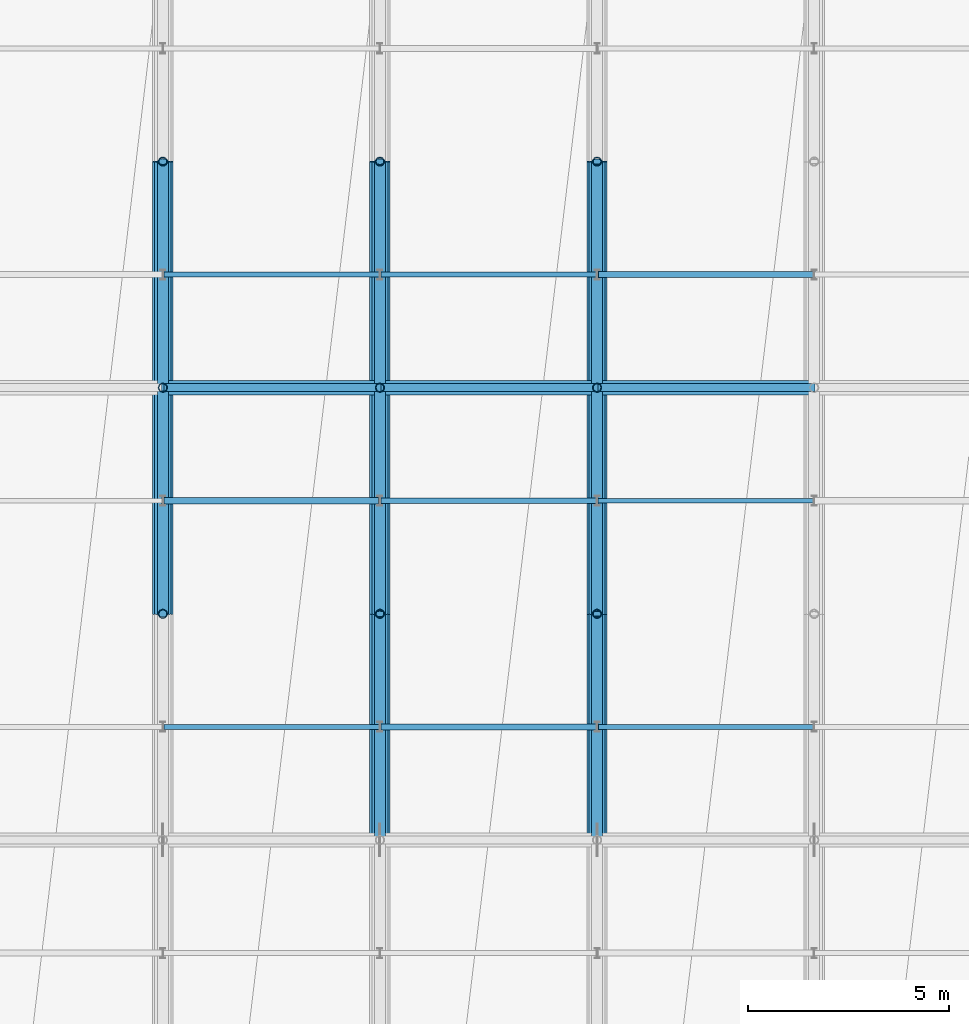
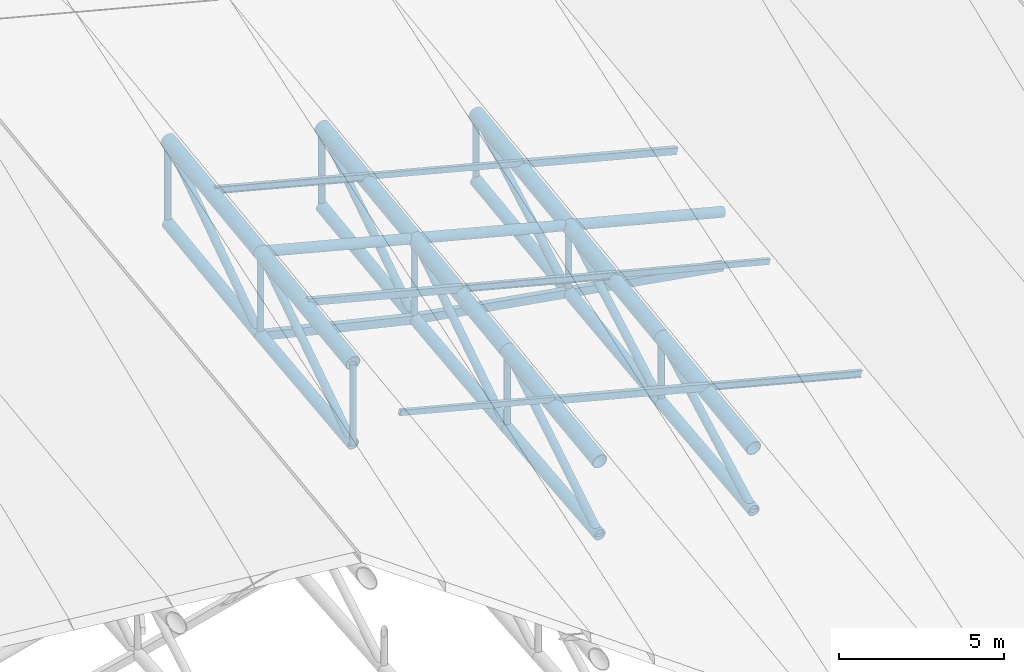
# One storey, part 22 of 109: 32 members, 16 beams.
"""IFC4 building model written with IfcOpenShell, lengths in metres."""

import ifcopenshell
import ifcopenshell.guid

model = None  # the IFC model being written
_history = None  # IfcOwnerHistory: only IFC2X3 demands one
_inside = {}  # id of a spatial element -> (the spatial element, [elements in it])
_under = {}  # id of a project, library or spatial element -> (it, [spatial elements below it])
_declared = {}  # id of a project -> (the project, [libraries it declares])
_typed = {}  # id of a type object -> (the type object, [elements of that type])
_made_of = {}  # id of a material, layer set ... -> (it, [elements and type objects made of it])


def new_model(schema):
    """Start an empty IFC model of exactly this schema.

    Asked for "IFC4X3", IfcOpenShell would pick the latest addendum, in which some entities
    have other attributes; the version numbers below select the first issue.
    IFC2X3 requires an IfcOwnerHistory on every rooted entity: one is made here for all.
    """
    global model, _history
    if schema == "IFC4X3":
        model = ifcopenshell.file(schema_version=(4, 3, 0, 0))
    else:
        model = ifcopenshell.file(schema=schema)
    _inside.clear()
    _under.clear()
    _declared.clear()
    _typed.clear()
    _made_of.clear()
    _history = None
    if model.schema == "IFC2X3":
        org = make("IfcOrganization", Name="unknown")
        user = make(
            "IfcPersonAndOrganization",
            ThePerson=make("IfcPerson", FamilyName="unknown"),
            TheOrganization=org,
        )
        app = make(
            "IfcApplication",
            ApplicationDeveloper=org,
            Version="unknown",
            ApplicationFullName="unknown",
            ApplicationIdentifier="unknown",
        )
        _history = make(
            "IfcOwnerHistory",
            OwningUser=user,
            OwningApplication=app,
            ChangeAction="ADDED",
            CreationDate=0,
        )
    return model


def make(cls, **values):
    """One entity of the class cls with the attributes given. An attribute that is None is left unset."""
    return model.create_entity(
        cls, **{name: value for name, value in values.items() if value is not None}
    )


def rooted(cls, **values):
    """An entity with a GlobalId (a new one), such as an element, a storey or a relation."""
    return make(cls, GlobalId=ifcopenshell.guid.new(), OwnerHistory=_history, **values)


def si_unit(unit_type, name, prefix=None):
    """IfcSIUnit, for example si_unit("LENGTHUNIT", "METRE", prefix="MILLI")."""
    return make("IfcSIUnit", UnitType=unit_type, Prefix=prefix, Name=name)


def assignment(units):
    """IfcUnitAssignment: the units of a project."""
    return None if units is None else make("IfcUnitAssignment", Units=units)


def point(xyz):
    """IfcCartesianPoint."""
    return None if xyz is None else make("IfcCartesianPoint", Coordinates=xyz)


def direction(xyz):
    """IfcDirection."""
    return None if xyz is None else make("IfcDirection", DirectionRatios=xyz)


def frame(location, z_axis=None, x_axis=None):
    """IfcAxis2Placement3D, a coordinate frame: its origin and axes. An axis left out is left unset."""
    return make(
        "IfcAxis2Placement3D",
        Location=point(location),
        Axis=direction(z_axis),
        RefDirection=direction(x_axis),
    )


def frame_2d(location, x_axis=None):
    """IfcAxis2Placement2D, a coordinate frame in the plane: its origin and x axis."""
    return make(
        "IfcAxis2Placement2D", Location=point(location), RefDirection=direction(x_axis)
    )


def origin():
    """The frame at (0, 0, 0) with its axes left unset."""
    return frame((0.0, 0.0, 0.0))


def origin_2d():
    """The frame at (0, 0) in the plane with its x axis left unset."""
    return frame_2d((0.0, 0.0))


def place(relative_to, where):
    """IfcLocalPlacement: puts the frame where relative to a parent placement (None: the world)."""
    return make(
        "IfcLocalPlacement", PlacementRelTo=relative_to, RelativePlacement=where
    )


def context(
    kind, dimensions, precision=None, world=None, true_north=None, identifier=None
):
    """IfcGeometricRepresentationContext, for example the 3D "Model" context."""
    return make(
        "IfcGeometricRepresentationContext",
        ContextIdentifier=identifier,
        ContextType=kind,
        CoordinateSpaceDimension=dimensions,
        Precision=precision,
        WorldCoordinateSystem=world,
        TrueNorth=true_north,
    )


def subcontext(parent, identifier, kind, view, scale=None):
    """IfcGeometricRepresentationSubContext, for example "Body" below "Model"."""
    return make(
        "IfcGeometricRepresentationSubContext",
        ContextIdentifier=identifier,
        ContextType=kind,
        ParentContext=parent,
        TargetScale=scale,
        TargetView=view,
    )


def project(units=None, contexts=None):
    """IfcProject with its units and contexts."""
    return rooted(
        "IfcProject",
        Name="project",
        RepresentationContexts=contexts,
        UnitsInContext=assignment(units),
    )


def spatial(cls, under=None, at=None, **own):
    """A site, building, storey or space (cls), placed at a placement, below another one or the project."""
    s = rooted(cls, ObjectPlacement=at, **own)
    if under is not None:
        _under.setdefault(under.id(), (under, []))[1].append(s)
    return s


def profile(cls, at=None, kind="AREA", **sizes):
    """A parametric profile (cls). Its sizes go by their IFC names, for example OverallWidth=200.0."""
    return make(cls, ProfileType=kind, Position=at, **sizes)


def hollow_rectangle(**sizes):
    """IfcRectangleHollowProfileDef."""
    return profile("IfcRectangleHollowProfileDef", **sizes)


def hollow_circle(**sizes):
    """IfcCircleHollowProfileDef."""
    return profile("IfcCircleHollowProfileDef", **sizes)


def i_section(**sizes):
    """IfcIShapeProfileDef."""
    return profile("IfcIShapeProfileDef", **sizes)


def extrude(swept, where, along, depth):
    """IfcExtrudedAreaSolid: the profile swept, set in the frame where, extruded along a direction by depth."""
    return make(
        "IfcExtrudedAreaSolid",
        SweptArea=swept,
        Position=where,
        ExtrudedDirection=direction(along),
        Depth=depth,
    )


def shape(context_of_items, identifier, shape_type, items):
    """IfcShapeRepresentation: the items that make up one representation, for example the "Body"."""
    return make(
        "IfcShapeRepresentation",
        ContextOfItems=context_of_items,
        RepresentationIdentifier=identifier,
        RepresentationType=shape_type,
        Items=items,
    )


def material(Name=None, Category=None):
    """IfcMaterial."""
    return make("IfcMaterial", Name=Name, Category=Category)


def material_profile(
    of_material, cross_section, Name=None, Category=None, Priority=None
):
    """IfcMaterialProfile: a cross section and its material."""
    return make(
        "IfcMaterialProfile",
        Name=Name,
        Material=of_material,
        Profile=cross_section,
        Priority=Priority,
        Category=Category,
    )


def profile_set(profiles, Name=None, composite=None):
    """IfcMaterialProfileSet."""
    return make(
        "IfcMaterialProfileSet",
        Name=Name,
        MaterialProfiles=profiles,
        CompositeProfile=composite,
    )


def made_of(thing, what):
    """Note that an element or type object is made of a material, layer set ...; save() writes the relation."""
    if what is not None:
        _made_of.setdefault(what.id(), (what, []))[1].append(thing)
    return thing


def type_object(cls, material=None, **own):
    """A type object (cls), such as IfcWallType, which elements share."""
    return made_of(rooted(cls, **own), material)


def element(
    cls,
    number,
    at=None,
    inside=None,
    cuts=None,
    type_object=None,
    material=None,
    context=None,
    identifier="Body",
    shape_type=None,
    held_by="IfcProductDefinitionShape",
    body=None,
    shapes=None,
    **own,
):
    """One element of the class cls, such as IfcWall. Its Tag is "e" and its number.

    at: its placement. inside: the storey or other place that contains it. cuts: it is an
    opening in that element (IfcRelVoidsElement). A single representation is given by context,
    identifier, shape_type and body (its items); several are given by shapes. held_by: the class
    of the entity that holds the representations. save() writes the other relations.
    """
    e = rooted(cls, Tag="e%d" % number, ObjectPlacement=at, **own)
    if body is not None:
        shapes = [shape(context, identifier, shape_type, body)]
    if shapes is not None:
        e.Representation = make(held_by, Representations=shapes)
    if inside is not None:
        _inside.setdefault(inside.id(), (inside, []))[1].append(e)
    if cuts is not None:
        rooted(
            "IfcRelVoidsElement", RelatingBuildingElement=cuts, RelatedOpeningElement=e
        )
    if type_object is not None:
        _typed.setdefault(type_object.id(), (type_object, []))[1].append(e)
    return made_of(e, material)


def aggregate(whole, parts):
    """IfcRelAggregates: a whole, such as a stair, and the parts it consists of."""
    return rooted("IfcRelAggregates", RelatingObject=whole, RelatedObjects=parts)


def save(model, path):
    """Write the relations noted so far, then the file.

    IfcRelAggregates (storeys below a building ...), IfcRelContainedInSpatialStructure (elements
    in a storey), IfcRelDefinesByType, IfcRelAssociatesMaterial and IfcRelDeclares: one each for
    every whole, place, type object, material and project.
    """
    for whole, parts in _under.values():
        aggregate(whole, parts)
    for where, things in _inside.values():
        rooted(
            "IfcRelContainedInSpatialStructure",
            RelatedElements=things,
            RelatingStructure=where,
        )
    for kind, things in _typed.values():
        rooted("IfcRelDefinesByType", RelatedObjects=things, RelatingType=kind)
    for what, things in _made_of.values():
        rooted("IfcRelAssociatesMaterial", RelatedObjects=things, RelatingMaterial=what)
    for by, libraries in _declared.values():
        rooted("IfcRelDeclares", RelatingContext=by, RelatedDefinitions=libraries)
    model.write(path)


model = new_model("IFC4")

# Units and contexts
model_context = context("Model", 3, precision=1e-05, world=origin(), true_north=direction((0.0, 1.0)))
body_context = subcontext(model_context, "Body", "Model", "MODEL_VIEW")
ifc_project = project(units=[si_unit("LENGTHUNIT", "METRE"), si_unit("AREAUNIT", "SQUARE_METRE"), si_unit("VOLUMEUNIT", "CUBIC_METRE"), si_unit("PLANEANGLEUNIT", "RADIAN"), si_unit("MASSUNIT", "GRAM", prefix="KILO")], contexts=[model_context])

# Site, building, storey
site_placement = place(None, origin())
site = spatial("IfcSite", under=ifc_project, at=site_placement, CompositionType="ELEMENT")
building_placement = place(site_placement, origin())
building = spatial("IfcBuilding", under=site, at=building_placement, Name="Suirenkawa Promenade Aquatics Centre", CompositionType="ELEMENT")
storey_placement = place(building_placement, frame((0.0, 0.0, 22.800048828125)))
storey = spatial("IfcBuildingStorey", under=building, at=storey_placement, Name="ROOF", CompositionType="ELEMENT", Elevation=22.800048828125)

# Beams
ifc_material = material(Name="Steel IS 2062 E350 (Grade 350)", Category="steel")
ifc_material_profile_1 = material_profile(ifc_material, hollow_circle(Radius=0.202880859375, WallThickness=0.01806640625, at=origin_2d()), Name="CHS 406x18", Category="steel")
ifc_profile_set_1 = profile_set([ifc_material_profile_1], Name="Steel IS 2062 E350 (Grade 350)")
beam_type_1 = type_object("IfcBeamType", Name="BT-BC-CHS406", PredefinedType="BEAM", material=ifc_profile_set_1)
beam_1_placement = place(storey_placement, frame((117.0, 78.52490234375, -10.179931640625), z_axis=(0.0, 0.993630301177, 0.112689061501), x_axis=(-1.0, 0.0, 0.0)))
element("IfcBeam", 1, at=beam_1_placement, inside=storey, type_object=beam_type_1, Name="ROOF TRUSS V1 bottom chord BC-01 BM-2182", PredefinedType="BEAM", context=body_context, shape_type="SweptSolid", body=[
    extrude(hollow_circle(Radius=0.202880859375, WallThickness=0.01806640625, at=origin_2d()), origin(), (0.0, 0.0, 1.0), 5.6611328125),
])
beam_2_placement = place(storey_placement, frame((117.0, 84.14990234375, -9.5419921875), z_axis=(0.0, 0.991573992333, 0.129541567575), x_axis=(-1.0, 0.0, 0.0)))
element("IfcBeam", 2, at=beam_2_placement, inside=storey, type_object=beam_type_1, Name="ROOF TRUSS V1 bottom chord BC-01 BM-2184", PredefinedType="BEAM", context=body_context, shape_type="SweptSolid", body=[
    extrude(hollow_circle(Radius=0.202880859375, WallThickness=0.01806640625, at=origin_2d()), origin(), (0.0, 0.0, 1.0), 5.6728515625),
])
beam_3_placement = place(storey_placement, frame((122.39990234375, 72.89990234375, -12.02294921875), z_axis=(0.0, 0.995084117006, 0.099033328138), x_axis=(-1.0, 0.0, 0.0)))
element("IfcBeam", 3, at=beam_3_placement, inside=storey, type_object=beam_type_1, Name="ROOF TRUSS V1 bottom chord BC-01 BM-2208", PredefinedType="BEAM", context=body_context, shape_type="SweptSolid", body=[
    extrude(hollow_circle(Radius=0.202880859375, WallThickness=0.01806640625, at=origin_2d()), origin(), (0.0, 0.0, 1.0), 5.65283203125),
])
beam_4_placement = place(storey_placement, frame((122.39990234375, 78.52490234375, -11.463134765625), z_axis=(0.0, 0.993489515672, 0.113923580747), x_axis=(-1.0, 0.0, 0.0)))
element("IfcBeam", 4, at=beam_4_placement, inside=storey, type_object=beam_type_1, Name="ROOF TRUSS V1 bottom chord BC-01 BM-2210", PredefinedType="BEAM", context=body_context, shape_type="SweptSolid", body=[
    extrude(hollow_circle(Radius=0.202880859375, WallThickness=0.01806640625, at=origin_2d()), origin(), (0.0, 0.0, 1.0), 5.661865234375),
])
beam_5_placement = place(storey_placement, frame((122.39990234375, 84.14990234375, -10.818115234375), z_axis=(0.0, 0.991590568823, 0.129414619811), x_axis=(-1.0, 0.0, 0.0)))
element("IfcBeam", 5, at=beam_5_placement, inside=storey, type_object=beam_type_1, Name="ROOF TRUSS V1 bottom chord BC-01 BM-2212", PredefinedType="BEAM", context=body_context, shape_type="SweptSolid", body=[
    extrude(hollow_circle(Radius=0.202880859375, WallThickness=0.01806640625, at=origin_2d()), origin(), (0.0, 0.0, 1.0), 5.672607421875),
])
beam_6_placement = place(storey_placement, frame((127.800048828125, 72.89990234375, -13.01611328125), z_axis=(0.0, 0.994076354112, 0.108683955556), x_axis=(-1.0, 0.0, 0.0)))
element("IfcBeam", 6, at=beam_6_placement, inside=storey, type_object=beam_type_1, Name="ROOF TRUSS V1 bottom chord BC-01 BM-2236", PredefinedType="BEAM", context=body_context, shape_type="SweptSolid", body=[
    extrude(hollow_circle(Radius=0.202880859375, WallThickness=0.01806640625, at=origin_2d()), origin(), (0.0, 0.0, 1.0), 5.658447265625),
])
beam_7_placement = place(storey_placement, frame((127.800048828125, 78.52490234375, -12.401123046875), z_axis=(0.0, 0.992957163719, 0.11847392548), x_axis=(-1.0, 0.0, 0.0)))
element("IfcBeam", 7, at=beam_7_placement, inside=storey, type_object=beam_type_1, Name="ROOF TRUSS V1 bottom chord BC-01 BM-2238", PredefinedType="BEAM", context=body_context, shape_type="SweptSolid", body=[
    extrude(hollow_circle(Radius=0.202880859375, WallThickness=0.01806640625, at=origin_2d()), origin(), (0.0, 0.0, 1.0), 5.664794921875),
])
beam_8_placement = place(storey_placement, frame((127.800048828125, 84.14990234375, -11.72998046875), z_axis=(0.0, 0.991662218835, 0.128864439375), x_axis=(-1.0, 0.0, 0.0)))
element("IfcBeam", 8, at=beam_8_placement, inside=storey, type_object=beam_type_1, Name="ROOF TRUSS V1 bottom chord BC-01 BM-2240", PredefinedType="BEAM", context=body_context, shape_type="SweptSolid", body=[
    extrude(hollow_circle(Radius=0.202880859375, WallThickness=0.01806640625, at=origin_2d()), origin(), (0.0, 0.0, 1.0), 5.67236328125),
])
ifc_material_profile_2 = material_profile(ifc_material, hollow_circle(Radius=0.25390625, WallThickness=0.02392578125, at=origin_2d()), Name="CHS 508x24", Category="steel")
ifc_profile_set_2 = profile_set([ifc_material_profile_2], Name="Steel IS 2062 E350 (Grade 350)")
beam_type_2 = type_object("IfcBeamType", Name="BT-TC-CHS508", PredefinedType="BEAM", material=ifc_profile_set_2)
for number, where, z_axis, x_axis, name in (
    (9, (117.0, 78.52490234375, -7.175048828125), (0.0, 0.991793720609, 0.127848409297), (-1.0, 0.0, 0.0), "ROOF TRUSS V1 top chord TC-02 BM-2181"),
    (10, (117.0, 84.14990234375, -6.449951171875), (0.0, 0.991799178012, 0.127806065951), (-1.0, 0.0, 0.0), "ROOF TRUSS V1 top chord TC-02 BM-2183"),
    (11, (122.39990234375, 72.89990234375, -9.300048828125), (0.0, 0.991793720609, 0.127848409297), (-1.0, 0.0, 0.0), "ROOF TRUSS V1 top chord TC-02 BM-2207"),
    (12, (122.39990234375, 78.52490234375, -8.574951171875), (0.0, 0.991799178012, 0.127806065951), (-1.0, 0.0, 0.0), "ROOF TRUSS V1 top chord TC-02 BM-2209"),
    (13, (122.39990234375, 84.14990234375, -7.85009765625), (0.0, 0.991793720609, 0.127848409297), (-1.0, 0.0, 0.0), "ROOF TRUSS V1 top chord TC-02 BM-2211"),
    (14, (127.800048828125, 72.89990234375, -10.699951171875), (0.0, 0.991799178012, 0.127806065951), (-1.0, 0.0, 0.0), "ROOF TRUSS V1 top chord TC-02 BM-2235"),
    (15, (127.800048828125, 78.52490234375, -9.97509765625), (0.0, 0.991793720609, 0.127848409297), (-1.0, 0.0, 0.0), "ROOF TRUSS V1 top chord TC-02 BM-2237"),
    (16, (127.800048828125, 84.14990234375, -9.25), (0.0, 0.991799178012, 0.127806065951), (-1.0, 0.0, 0.0), "ROOF TRUSS V1 top chord TC-02 BM-2239"),
):
    element("IfcBeam", number, at=place(storey_placement, frame(where, z_axis=z_axis, x_axis=x_axis)), inside=storey, type_object=beam_type_2, Name=name, PredefinedType="BEAM", context=body_context, shape_type="SweptSolid", body=[
        extrude(hollow_circle(Radius=0.25390625, WallThickness=0.02392578125, at=origin_2d()), origin(), (0.0, 0.0, 1.0), 5.671630859375),
    ])

# Members
ifc_material_profile_3 = material_profile(ifc_material, hollow_circle(Radius=0.177978515625, WallThickness=0.01611328125, at=origin_2d()), Name="CHS 356x16", Category="steel")
ifc_profile_set_3 = profile_set([ifc_material_profile_3], Name="Steel IS 2062 E350 (Grade 350)")
member_type_1 = type_object("IfcMemberType", Name="MT-CHORD-CHS356", PredefinedType="CHORD", material=ifc_profile_set_3)
member_1_placement = place(storey_placement, frame((117.0, 84.14990234375, -6.449951171875), z_axis=(0.967989416096, 0.0, -0.250991016426), x_axis=(0.0, 1.0, 0.0)))
element("IfcMember", 17, at=member_1_placement, inside=storey, type_object=member_type_1, Name="ROOF TRUSS V1 tie chord CH-02 MB-0794", PredefinedType="CHORD", context=body_context, shape_type="SweptSolid", body=[
    extrude(hollow_circle(Radius=0.177978515625, WallThickness=0.01611328125, at=origin_2d()), origin(), (0.0, 0.0, 1.0), 5.578369140625),
])
member_2_placement = place(storey_placement, frame((122.39990234375, 84.14990234375, -7.85009765625), z_axis=(0.96800280427, 0.0, -0.250939376992), x_axis=(0.0, 1.0, 0.0)))
element("IfcMember", 18, at=member_2_placement, inside=storey, type_object=member_type_1, Name="ROOF TRUSS V1 tie chord CH-02 MB-0796", PredefinedType="CHORD", context=body_context, shape_type="SweptSolid", body=[
    extrude(hollow_circle(Radius=0.177978515625, WallThickness=0.01611328125, at=origin_2d()), origin(), (0.0, 0.0, 1.0), 5.57861328125),
])
member_3_placement = place(storey_placement, frame((127.800048828125, 84.14990234375, -9.25), z_axis=(0.967989416096, 0.0, -0.250991016426), x_axis=(0.0, 1.0, 0.0)))
element("IfcMember", 19, at=member_3_placement, inside=storey, type_object=member_type_1, Name="ROOF TRUSS V1 tie chord CH-02 MB-0798", PredefinedType="CHORD", context=body_context, shape_type="SweptSolid", body=[
    extrude(hollow_circle(Radius=0.177978515625, WallThickness=0.01611328125, at=origin_2d()), origin(), (0.0, 0.0, 1.0), 5.578369140625),
])
ifc_material_profile_4 = material_profile(ifc_material, hollow_rectangle(XDim=0.199951171875, YDim=0.300048828125, WallThickness=0.011962890625, at=origin_2d()), Name="RHS 300x200x12", Category="steel")
ifc_profile_set_4 = profile_set([ifc_material_profile_4], Name="Steel IS 2062 E350 (Grade 350)")
member_type_2 = type_object("IfcMemberType", Name="MT-CHORD-RHS300", PredefinedType="CHORD", material=ifc_profile_set_4)
member_4_placement = place(storey_placement, frame((117.0, 84.14990234375, -9.5419921875), z_axis=(0.973193387284, 0.0, -0.229988327848), x_axis=(0.0, 1.0, 0.0)))
element("IfcMember", 20, at=member_4_placement, inside=storey, type_object=member_type_2, Name="ROOF TRUSS V1 bottom tie CH-03 MB-0795", PredefinedType="CHORD", context=body_context, shape_type="SweptSolid", body=[
    extrude(hollow_rectangle(XDim=0.199951171875, YDim=0.300048828125, WallThickness=0.011962890625, at=origin_2d()), origin(), (0.0, 0.0, 1.0), 5.548583984375),
])
for number, where, z_axis, x_axis, name in (
    (21, (122.39990234375, 84.14990234375, -10.818115234375), (0.986041073491, 0.0, -0.166502256408), (0.0, 1.0, 0.0), "ROOF TRUSS V1 bottom tie CH-03 MB-0797"),
    (22, (127.800048828125, 84.14990234375, -11.72998046875), (0.986003217519, 0.0, -0.166726287798), (0.0, 1.0, 0.0), "ROOF TRUSS V1 bottom tie CH-03 MB-0799"),
):
    element("IfcMember", number, at=place(storey_placement, frame(where, z_axis=z_axis, x_axis=x_axis)), inside=storey, type_object=member_type_2, Name=name, PredefinedType="CHORD", context=body_context, shape_type="SweptSolid", body=[
        extrude(hollow_rectangle(XDim=0.199951171875, YDim=0.300048828125, WallThickness=0.011962890625, at=origin_2d()), origin(), (0.0, 0.0, 1.0), 5.4765625),
    ])
ifc_material_profile_5 = material_profile(ifc_material, i_section(OverallWidth=0.125, OverallDepth=0.25, WebThickness=0.007080078125, FlangeThickness=0.012939453125, at=origin_2d()), Name="ISMB 250", Category="steel")
ifc_profile_set_5 = profile_set([ifc_material_profile_5], Name="Steel IS 2062 E350 (Grade 350)")
member_type_3 = type_object("IfcMemberType", Name="MT-PURLIN-ISMB250", PredefinedType="PURLIN", material=ifc_profile_set_5)
member_5_placement = place(storey_placement, frame((117.0, 86.962890625, -5.866943359375), z_axis=(0.968031935842, 0.0, -0.250826974605), x_axis=(0.0, 1.0, 0.0)))
element("IfcMember", 23, at=member_5_placement, inside=storey, type_object=member_type_3, Name="ROOF TRUSS Roof purlin PU-04 MB-2169", PredefinedType="PURLIN", context=body_context, shape_type="SweptSolid", body=[
    extrude(i_section(OverallWidth=0.125, OverallDepth=0.25, WebThickness=0.007080078125, FlangeThickness=0.012939453125, at=origin_2d()), origin(), (0.0, 0.0, 1.0), 5.578125),
])
member_6_placement = place(storey_placement, frame((122.39990234375, 81.337890625, -7.990966796875), z_axis=(0.967992172948, 0.0, -0.250980383917), x_axis=(0.0, 1.0, 0.0)))
element("IfcMember", 24, at=member_6_placement, inside=storey, type_object=member_type_3, Name="ROOF TRUSS Roof purlin PU-04 MB-2203", PredefinedType="PURLIN", context=body_context, shape_type="SweptSolid", body=[
    extrude(i_section(OverallWidth=0.125, OverallDepth=0.25, WebThickness=0.007080078125, FlangeThickness=0.012939453125, at=origin_2d()), origin(), (0.0, 0.0, 1.0), 5.57861328125),
])
member_7_placement = place(storey_placement, frame((127.800048828125, 75.712890625, -10.115966796875), z_axis=(0.967989416096, 0.0, -0.250991016426), x_axis=(0.0, 1.0, 0.0)))
element("IfcMember", 25, at=member_7_placement, inside=storey, type_object=member_type_3, Name="ROOF TRUSS Roof purlin PU-04 MB-2237", PredefinedType="PURLIN", context=body_context, shape_type="SweptSolid", body=[
    extrude(i_section(OverallWidth=0.125, OverallDepth=0.25, WebThickness=0.007080078125, FlangeThickness=0.012939453125, at=origin_2d()), origin(), (0.0, 0.0, 1.0), 5.578369140625),
])
ifc_material_profile_6 = material_profile(ifc_material, hollow_rectangle(XDim=0.1201171875, YDim=0.199951171875, WallThickness=0.008056640625, at=origin_2d()), Name="RHS 200x120x8", Category="steel")
ifc_profile_set_6 = profile_set([ifc_material_profile_6], Name="Steel IS 2062 E350 (Grade 350)")
member_type_4 = type_object("IfcMemberType", Name="MT-PURLIN-RHS200", PredefinedType="PURLIN", material=ifc_profile_set_6)
member_8_placement = place(storey_placement, frame((117.0, 75.712890625, -7.291015625), z_axis=(0.967989416096, 0.0, -0.250991016426), x_axis=(0.0, 1.0, 0.0)))
element("IfcMember", 26, at=member_8_placement, inside=storey, type_object=member_type_4, Name="ROOF TRUSS Roof purlin PU-02 MB-2165", PredefinedType="PURLIN", context=body_context, shape_type="SweptSolid", body=[
    extrude(hollow_rectangle(XDim=0.1201171875, YDim=0.199951171875, WallThickness=0.008056640625, at=origin_2d()), origin(), (0.0, 0.0, 1.0), 5.578369140625),
])
member_9_placement = place(storey_placement, frame((122.39990234375, 86.962890625, -7.240966796875), z_axis=(0.967992172948, 0.0, -0.250980383917), x_axis=(0.0, 1.0, 0.0)))
element("IfcMember", 27, at=member_9_placement, inside=storey, type_object=member_type_4, Name="ROOF TRUSS Roof purlin PU-02 MB-2205", PredefinedType="PURLIN", context=body_context, shape_type="SweptSolid", body=[
    extrude(hollow_rectangle(XDim=0.1201171875, YDim=0.199951171875, WallThickness=0.008056640625, at=origin_2d()), origin(), (0.0, 0.0, 1.0), 5.57861328125),
])
member_10_placement = place(storey_placement, frame((127.800048828125, 81.337890625, -9.365966796875), z_axis=(0.967989416096, 0.0, -0.250991016426), x_axis=(0.0, 1.0, 0.0)))
element("IfcMember", 28, at=member_10_placement, inside=storey, type_object=member_type_4, Name="ROOF TRUSS Roof purlin PU-02 MB-2239", PredefinedType="PURLIN", context=body_context, shape_type="SweptSolid", body=[
    extrude(hollow_rectangle(XDim=0.1201171875, YDim=0.199951171875, WallThickness=0.008056640625, at=origin_2d()), origin(), (0.0, 0.0, 1.0), 5.578369140625),
])
ifc_material_profile_7 = material_profile(ifc_material, hollow_rectangle(XDim=0.14990234375, YDim=0.25, WallThickness=0.010009765625, at=origin_2d()), Name="RHS 250x150x10", Category="steel")
ifc_profile_set_7 = profile_set([ifc_material_profile_7], Name="Steel IS 2062 E350 (Grade 350)")
member_type_5 = type_object("IfcMemberType", Name="MT-PURLIN-RHS250", PredefinedType="PURLIN", material=ifc_profile_set_7)
member_11_placement = place(storey_placement, frame((117.0, 81.337890625, -6.593017578125), z_axis=(0.967989416096, 0.0, -0.250991016426), x_axis=(0.0, 1.0, 0.0)))
element("IfcMember", 29, at=member_11_placement, inside=storey, type_object=member_type_5, Name="ROOF TRUSS Roof purlin PU-03 MB-2167", PredefinedType="PURLIN", context=body_context, shape_type="SweptSolid", body=[
    extrude(hollow_rectangle(XDim=0.14990234375, YDim=0.25, WallThickness=0.010009765625, at=origin_2d()), origin(), (0.0, 0.0, 1.0), 5.578369140625),
])
member_12_placement = place(storey_placement, frame((122.39990234375, 75.712890625, -8.718017578125), z_axis=(0.967992172948, 0.0, -0.250980383917), x_axis=(0.0, 1.0, 0.0)))
element("IfcMember", 30, at=member_12_placement, inside=storey, type_object=member_type_5, Name="ROOF TRUSS Roof purlin PU-03 MB-2201", PredefinedType="PURLIN", context=body_context, shape_type="SweptSolid", body=[
    extrude(hollow_rectangle(XDim=0.14990234375, YDim=0.25, WallThickness=0.010009765625, at=origin_2d()), origin(), (0.0, 0.0, 1.0), 5.57861328125),
])
member_13_placement = place(storey_placement, frame((127.800048828125, 86.962890625, -8.66796875), z_axis=(0.967989416096, 0.0, -0.250991016426), x_axis=(0.0, 1.0, 0.0)))
element("IfcMember", 31, at=member_13_placement, inside=storey, type_object=member_type_5, Name="ROOF TRUSS Roof purlin PU-03 MB-2241", PredefinedType="PURLIN", context=body_context, shape_type="SweptSolid", body=[
    extrude(hollow_rectangle(XDim=0.14990234375, YDim=0.25, WallThickness=0.010009765625, at=origin_2d()), origin(), (0.0, 0.0, 1.0), 5.578369140625),
])
ifc_material_profile_8 = material_profile(ifc_material, hollow_circle(Radius=0.110107421875, WallThickness=0.010009765625, at=origin_2d()), Name="CHS 220x10", Category="steel")
ifc_profile_set_8 = profile_set([ifc_material_profile_8], Name="Steel IS 2062 E350 (Grade 350)")
member_type_6 = type_object("IfcMemberType", Name="MT-WEB-CHS220", PredefinedType="BRACE", material=ifc_profile_set_8)
member_14_placement = place(storey_placement, frame((117.0, 78.52490234375, -10.179931640625), z_axis=(0.0, 0.0, 1.0), x_axis=(1.0, 0.0, 0.0)))
element("IfcMember", 32, at=member_14_placement, inside=storey, type_object=member_type_6, Name="ROOF TRUSS V1 web post TD-01 MB-0370", PredefinedType="BRACE", context=body_context, shape_type="SweptSolid", body=[
    extrude(hollow_circle(Radius=0.110107421875, WallThickness=0.010009765625, at=origin_2d()), origin(), (0.0, 0.0, 1.0), 3.0048828125),
])
member_15_placement = place(storey_placement, frame((117.0, 84.14990234375, -9.5419921875), z_axis=(0.0, 0.0, 1.0), x_axis=(1.0, 0.0, 0.0)))
element("IfcMember", 33, at=member_15_placement, inside=storey, type_object=member_type_6, Name="ROOF TRUSS V1 web post TD-01 MB-0371", PredefinedType="BRACE", context=body_context, shape_type="SweptSolid", body=[
    extrude(hollow_circle(Radius=0.110107421875, WallThickness=0.010009765625, at=origin_2d()), origin(), (0.0, 0.0, 1.0), 3.092041015625),
])
member_16_placement = place(storey_placement, frame((117.0, 89.77490234375, -8.80712890625), z_axis=(0.0, 0.0, 1.0), x_axis=(1.0, 0.0, 0.0)))
element("IfcMember", 34, at=member_16_placement, inside=storey, type_object=member_type_6, Name="ROOF TRUSS V1 web post TD-01 MB-0372", PredefinedType="BRACE", context=body_context, shape_type="SweptSolid", body=[
    extrude(hollow_circle(Radius=0.110107421875, WallThickness=0.010009765625, at=origin_2d()), origin(), (0.0, 0.0, 1.0), 3.08203125),
])
member_17_placement = place(storey_placement, frame((122.39990234375, 78.52490234375, -11.463134765625), z_axis=(0.0, 0.0, 1.0), x_axis=(1.0, 0.0, 0.0)))
element("IfcMember", 35, at=member_17_placement, inside=storey, type_object=member_type_6, Name="ROOF TRUSS V1 web post TD-01 MB-0397", PredefinedType="BRACE", context=body_context, shape_type="SweptSolid", body=[
    extrude(hollow_circle(Radius=0.110107421875, WallThickness=0.010009765625, at=origin_2d()), origin(), (0.0, 0.0, 1.0), 2.88818359375),
])
member_18_placement = place(storey_placement, frame((122.39990234375, 84.14990234375, -10.818115234375), z_axis=(0.0, 0.0, 1.0), x_axis=(1.0, 0.0, 0.0)))
element("IfcMember", 36, at=member_18_placement, inside=storey, type_object=member_type_6, Name="ROOF TRUSS V1 web post TD-01 MB-0398", PredefinedType="BRACE", context=body_context, shape_type="SweptSolid", body=[
    extrude(hollow_circle(Radius=0.110107421875, WallThickness=0.010009765625, at=origin_2d()), origin(), (0.0, 0.0, 1.0), 2.968017578125),
])
member_19_placement = place(storey_placement, frame((122.39990234375, 89.77490234375, -10.083984375), z_axis=(0.0, 0.0, 1.0), x_axis=(1.0, 0.0, 0.0)))
element("IfcMember", 37, at=member_19_placement, inside=storey, type_object=member_type_6, Name="ROOF TRUSS V1 web post TD-01 MB-0399", PredefinedType="BRACE", context=body_context, shape_type="SweptSolid", body=[
    extrude(hollow_circle(Radius=0.110107421875, WallThickness=0.010009765625, at=origin_2d()), origin(), (0.0, 0.0, 1.0), 2.958984375),
])
member_20_placement = place(storey_placement, frame((127.800048828125, 78.52490234375, -12.401123046875), z_axis=(0.0, 0.0, 1.0), x_axis=(1.0, 0.0, 0.0)))
element("IfcMember", 38, at=member_20_placement, inside=storey, type_object=member_type_6, Name="ROOF TRUSS V1 web post TD-01 MB-0424", PredefinedType="BRACE", context=body_context, shape_type="SweptSolid", body=[
    extrude(hollow_circle(Radius=0.110107421875, WallThickness=0.010009765625, at=origin_2d()), origin(), (0.0, 0.0, 1.0), 2.426025390625),
])
member_21_placement = place(storey_placement, frame((127.800048828125, 84.14990234375, -11.72998046875), z_axis=(0.0, 0.0, 1.0), x_axis=(1.0, 0.0, 0.0)))
element("IfcMember", 39, at=member_21_placement, inside=storey, type_object=member_type_6, Name="ROOF TRUSS V1 web post TD-01 MB-0425", PredefinedType="BRACE", context=body_context, shape_type="SweptSolid", body=[
    extrude(hollow_circle(Radius=0.110107421875, WallThickness=0.010009765625, at=origin_2d()), origin(), (0.0, 0.0, 1.0), 2.47998046875),
])
member_22_placement = place(storey_placement, frame((127.800048828125, 89.77490234375, -10.9990234375), z_axis=(0.0, 0.0, 1.0), x_axis=(1.0, 0.0, 0.0)))
element("IfcMember", 40, at=member_22_placement, inside=storey, type_object=member_type_6, Name="ROOF TRUSS V1 web post TD-01 MB-0426", PredefinedType="BRACE", context=body_context, shape_type="SweptSolid", body=[
    extrude(hollow_circle(Radius=0.110107421875, WallThickness=0.010009765625, at=origin_2d()), origin(), (0.0, 0.0, 1.0), 2.473876953125),
])
ifc_material_profile_9 = material_profile(ifc_material, hollow_circle(Radius=0.136962890625, WallThickness=0.011962890625, at=origin_2d()), Name="CHS 274x12", Category="steel")
ifc_profile_set_9 = profile_set([ifc_material_profile_9], Name="Steel IS 2062 E350 (Grade 350)")
member_type_7 = type_object("IfcMemberType", Name="MT-WEB-CHS274", PredefinedType="BRACE", material=ifc_profile_set_9)
member_23_placement = place(storey_placement, frame((117.0, 78.52490234375, -10.179931640625), z_axis=(0.0, 0.833416754205, 0.552645016091), x_axis=(-1.0, 0.0, 0.0)))
element("IfcMember", 41, at=member_23_placement, inside=storey, type_object=member_type_7, Name="ROOF TRUSS V1 web diagonal TD-02 MB-0357", PredefinedType="BRACE", context=body_context, shape_type="SweptSolid", body=[
    extrude(hollow_circle(Radius=0.136962890625, WallThickness=0.011962890625, at=origin_2d()), origin(), (0.0, 0.0, 1.0), 6.749267578125),
])
member_24_placement = place(storey_placement, frame((117.0, 84.14990234375, -9.5419921875), z_axis=(0.0, 0.827480542111, 0.56149439216), x_axis=(-1.0, 0.0, 0.0)))
element("IfcMember", 42, at=member_24_placement, inside=storey, type_object=member_type_7, Name="ROOF TRUSS V1 web diagonal TD-02 MB-0358", PredefinedType="BRACE", context=body_context, shape_type="SweptSolid", body=[
    extrude(hollow_circle(Radius=0.136962890625, WallThickness=0.011962890625, at=origin_2d()), origin(), (0.0, 0.0, 1.0), 6.7978515625),
])
member_25_placement = place(storey_placement, frame((122.39990234375, 72.89990234375, -12.02294921875), z_axis=(0.0, 0.852573064281, 0.522608046304), x_axis=(-1.0, 0.0, 0.0)))
element("IfcMember", 43, at=member_25_placement, inside=storey, type_object=member_type_7, Name="ROOF TRUSS V1 web diagonal TD-02 MB-0383", PredefinedType="BRACE", context=body_context, shape_type="SweptSolid", body=[
    extrude(hollow_circle(Radius=0.136962890625, WallThickness=0.011962890625, at=origin_2d()), origin(), (0.0, 0.0, 1.0), 6.59765625),
])
member_26_placement = place(storey_placement, frame((122.39990234375, 78.52490234375, -11.463134765625), z_axis=(0.0, 0.841384868503, 0.540436400563), x_axis=(-1.0, 0.0, 0.0)))
element("IfcMember", 44, at=member_26_placement, inside=storey, type_object=member_type_7, Name="ROOF TRUSS V1 web diagonal TD-02 MB-0384", PredefinedType="BRACE", context=body_context, shape_type="SweptSolid", body=[
    extrude(hollow_circle(Radius=0.136962890625, WallThickness=0.011962890625, at=origin_2d()), origin(), (0.0, 0.0, 1.0), 6.685302734375),
])
member_27_placement = place(storey_placement, frame((122.39990234375, 84.14990234375, -10.818115234375), z_axis=(0.0, 0.835931394157, 0.548833949627), x_axis=(-1.0, 0.0, 0.0)))
element("IfcMember", 45, at=member_27_placement, inside=storey, type_object=member_type_7, Name="ROOF TRUSS V1 web diagonal TD-02 MB-0385", PredefinedType="BRACE", context=body_context, shape_type="SweptSolid", body=[
    extrude(hollow_circle(Radius=0.136962890625, WallThickness=0.011962890625, at=origin_2d()), origin(), (0.0, 0.0, 1.0), 6.72900390625),
])
member_28_placement = place(storey_placement, frame((127.800048828125, 72.89990234375, -13.01611328125), z_axis=(0.0, 0.879675432152, 0.475574530507), x_axis=(-1.0, 0.0, 0.0)))
element("IfcMember", 46, at=member_28_placement, inside=storey, type_object=member_type_7, Name="ROOF TRUSS V1 web diagonal TD-02 MB-0410", PredefinedType="BRACE", context=body_context, shape_type="SweptSolid", body=[
    extrude(hollow_circle(Radius=0.136962890625, WallThickness=0.011962890625, at=origin_2d()), origin(), (0.0, 0.0, 1.0), 6.394287109375),
])
member_29_placement = place(storey_placement, frame((127.800048828125, 78.52490234375, -12.401123046875), z_axis=(0.0, 0.872431749847, 0.488735963337), x_axis=(-1.0, 0.0, 0.0)))
element("IfcMember", 47, at=member_29_placement, inside=storey, type_object=member_type_7, Name="ROOF TRUSS V1 web diagonal TD-02 MB-0411", PredefinedType="BRACE", context=body_context, shape_type="SweptSolid", body=[
    extrude(hollow_circle(Radius=0.136962890625, WallThickness=0.011962890625, at=origin_2d()), origin(), (0.0, 0.0, 1.0), 6.447509765625),
])
member_30_placement = place(storey_placement, frame((127.800048828125, 84.14990234375, -11.72998046875), z_axis=(0.0, 0.868871355186, 0.49503794616), x_axis=(-1.0, 0.0, 0.0)))
element("IfcMember", 48, at=member_30_placement, inside=storey, type_object=member_type_7, Name="ROOF TRUSS V1 web diagonal TD-02 MB-0412", PredefinedType="BRACE", context=body_context, shape_type="SweptSolid", body=[
    extrude(hollow_circle(Radius=0.136962890625, WallThickness=0.011962890625, at=origin_2d()), origin(), (0.0, 0.0, 1.0), 6.473876953125),
])

save(model, "model.ifc")
